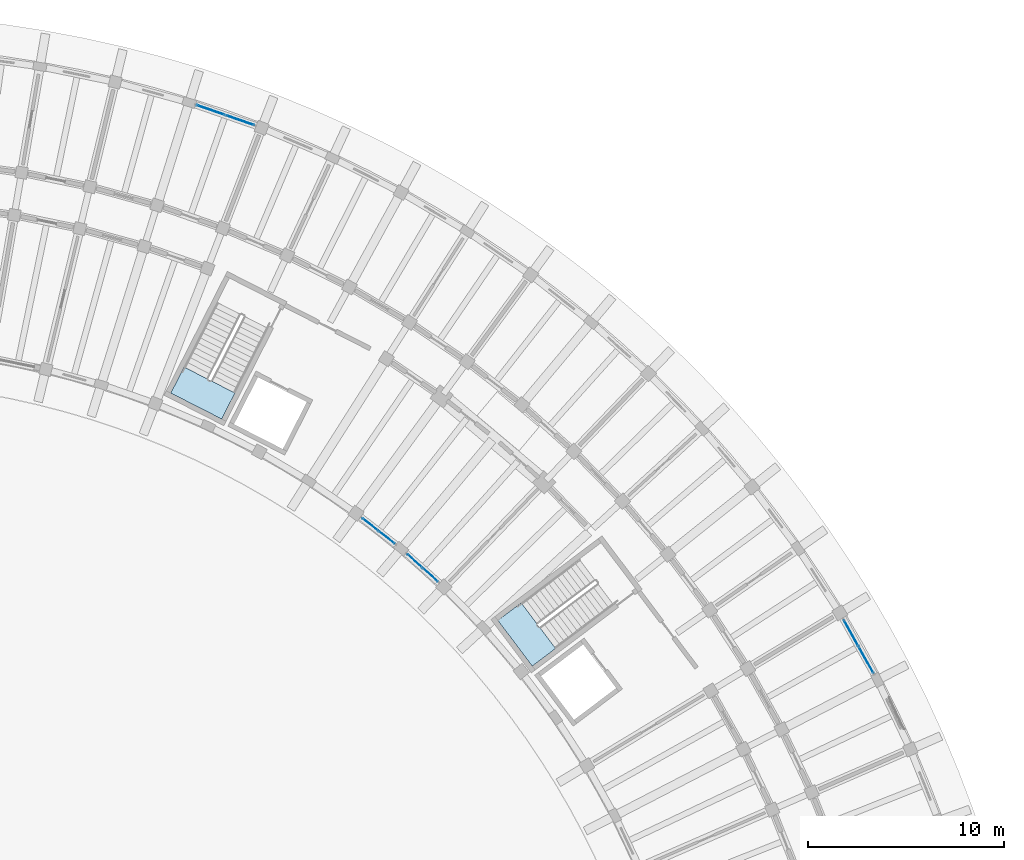
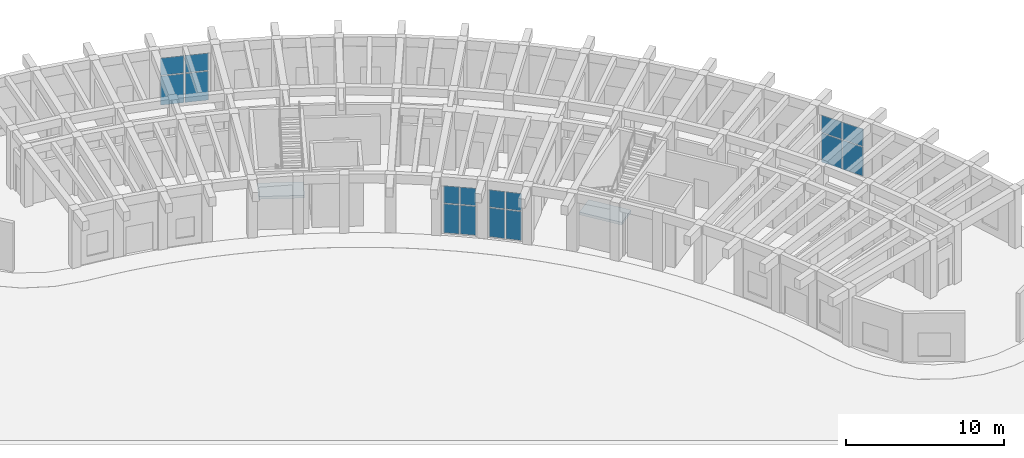
# One storey, part 84 of 132: 16 plates, 2 slabs, 6 elements without a shape of their own.
"""IFC4 building model written with IfcOpenShell, lengths in metres."""

from ifc_helpers import new_model, si_unit, direction, frame, origin, origin_2d, place, context, subcontext, project, spatial, polyline, rectangle, outline, extrude, material, layer, layer_set, type_object, element, aggregate, save


model = new_model("IFC4")

# Units and contexts
model_context = context("Model", 3, precision=1e-05, world=origin(), true_north=direction((0.0, 1.0)))
body_context = subcontext(model_context, "Body", "Model", "MODEL_VIEW")
ifc_project = project(units=[si_unit("LENGTHUNIT", "METRE"), si_unit("AREAUNIT", "SQUARE_METRE"), si_unit("VOLUMEUNIT", "CUBIC_METRE"), si_unit("PLANEANGLEUNIT", "RADIAN"), si_unit("MASSUNIT", "GRAM", prefix="KILO")], contexts=[model_context])

# Site, building, storey
site_placement = place(None, origin())
site = spatial("IfcSite", under=ifc_project, at=site_placement, CompositionType="ELEMENT")
building_placement = place(site_placement, origin())
building = spatial("IfcBuilding", under=site, at=building_placement, Name="Tanwirah Colonnade Gardens", CompositionType="ELEMENT")
storey_placement = place(building_placement, origin())
storey = spatial("IfcBuildingStorey", under=building, at=storey_placement, Name="L00", CompositionType="ELEMENT", Elevation=0.0)

# Curtain wall, plates
ifc_material_1 = material(Name="Bronze-anodised aluminium and solar-control low-E glass", Category="aluminium")
curtain_wall_type_1 = type_object("IfcCurtainWallType", Name="CW-LOB", PredefinedType="NOTDEFINED", material=ifc_material_1)
curtain_wall_1_placement = place(storey_placement, origin())
curtain_wall_1 = element("IfcCurtainWall", 1, at=curtain_wall_1_placement, inside=storey, type_object=curtain_wall_type_1, Name="Curtain Wall CW-B-L00-OUT-03", PredefinedType="NOTDEFINED")
ifc_material_2 = material(Name="Insulated bronze aluminium spandrel panel", Category="aluminium")
ifc_layer_1 = layer(ifc_material_2, 0.035888671875)
ifc_layer_set_1 = layer_set([ifc_layer_1], Name="Insulated bronze aluminium spandrel panel")
plate_type = type_object("IfcPlateType", Name="CWP-SPN36", PredefinedType="CURTAIN_PANEL", material=ifc_layer_set_1)
plate_1_placement = place(storey_placement, frame((173.326416015625, 88.571044921875, 0.06494140625), z_axis=(0.0, 0.0, 1.0), x_axis=(-0.488200181987, 0.8727316783, 0.0)))
plate_1 = element("IfcPlate", 2, at=plate_1_placement, type_object=plate_type, Name="CW-LOB panel 1.1", PredefinedType="CURTAIN_PANEL", context=body_context, shape_type="SweptSolid", body=[
    extrude(rectangle(XDim=1.50537109375, YDim=0.035888671875, at=origin_2d()), origin(), (0.0, 0.0, 1.0), 2.230712890625),
])
plate_2_placement = place(storey_placement, frame((173.326416015625, 88.571044921875, 2.36083984375), z_axis=(0.0, 0.0, 1.0), x_axis=(-0.488200181987, 0.8727316783, 0.0)))
plate_2 = element("IfcPlate", 3, at=plate_2_placement, type_object=plate_type, Name="CW-LOB panel 1.2", PredefinedType="CURTAIN_PANEL", context=body_context, shape_type="SweptSolid", body=[
    extrude(rectangle(XDim=1.50537109375, YDim=0.035888671875, at=origin_2d()), origin(), (0.0, 0.0, 1.0), 1.329345703125),
])
plate_3_placement = place(storey_placement, frame((172.5595703125, 89.941650390625, 0.06494140625), z_axis=(0.0, 0.0, 1.0), x_axis=(-0.488200181987, 0.8727316783, 0.0)))
plate_3 = element("IfcPlate", 4, at=plate_3_placement, type_object=plate_type, Name="CW-LOB panel 2.1", PredefinedType="CURTAIN_PANEL", context=body_context, shape_type="SweptSolid", body=[
    extrude(rectangle(XDim=1.50537109375, YDim=0.035888671875, at=origin_2d()), origin(), (0.0, 0.0, 1.0), 2.230712890625),
])
plate_4_placement = place(storey_placement, frame((172.5595703125, 89.941650390625, 2.36083984375), z_axis=(0.0, 0.0, 1.0), x_axis=(-0.488200181987, 0.8727316783, 0.0)))
plate_4 = element("IfcPlate", 5, at=plate_4_placement, type_object=plate_type, Name="CW-LOB panel 2.2", PredefinedType="CURTAIN_PANEL", context=body_context, shape_type="SweptSolid", body=[
    extrude(rectangle(XDim=1.50537109375, YDim=0.035888671875, at=origin_2d()), origin(), (0.0, 0.0, 1.0), 1.329345703125),
])
aggregate(curtain_wall_1, [plate_1, plate_2, plate_3, plate_4])

curtain_wall_type_2 = type_object("IfcCurtainWallType", Name="CW-GDN", PredefinedType="NOTDEFINED", material=ifc_material_1)
curtain_wall_2_placement = place(storey_placement, origin())
curtain_wall_2 = element("IfcCurtainWall", 6, at=curtain_wall_2_placement, inside=storey, type_object=curtain_wall_type_2, Name="Curtain Wall CW-B-L00-IN-08", PredefinedType="NOTDEFINED")
plate_5_placement = place(storey_placement, frame((151.061767578125, 92.914306640625, 0.06494140625), z_axis=(0.0, 0.0, 1.0), x_axis=(-0.744440162253, 0.667689182798, 0.0)))
plate_5 = element("IfcPlate", 7, at=plate_5_placement, type_object=plate_type, Name="CW-GDN panel 1.1", PredefinedType="CURTAIN_PANEL", context=body_context, shape_type="SweptSolid", body=[
    extrude(rectangle(XDim=1.007568359375, YDim=0.035888671875, at=origin_2d()), origin(), (0.0, 0.0, 1.0), 2.230712890625),
])
plate_6_placement = place(storey_placement, frame((151.061767578125, 92.914306640625, 2.36083984375), z_axis=(0.0, 0.0, 1.0), x_axis=(-0.744440162253, 0.667689182798, 0.0)))
plate_6 = element("IfcPlate", 8, at=plate_6_placement, type_object=plate_type, Name="CW-GDN panel 1.2", PredefinedType="CURTAIN_PANEL", context=body_context, shape_type="SweptSolid", body=[
    extrude(rectangle(XDim=1.007568359375, YDim=0.035888671875, at=origin_2d()), origin(), (0.0, 0.0, 1.0), 1.329345703125),
])
plate_7_placement = place(storey_placement, frame((150.263427734375, 93.630615234375, 0.06494140625), z_axis=(0.0, 0.0, 1.0), x_axis=(-0.744440162253, 0.667689182798, 0.0)))
plate_7 = element("IfcPlate", 9, at=plate_7_placement, type_object=plate_type, Name="CW-GDN panel 2.1", PredefinedType="CURTAIN_PANEL", context=body_context, shape_type="SweptSolid", body=[
    extrude(rectangle(XDim=1.007568359375, YDim=0.035888671875, at=origin_2d()), origin(), (0.0, 0.0, 1.0), 2.230712890625),
])
plate_8_placement = place(storey_placement, frame((150.263427734375, 93.630615234375, 2.36083984375), z_axis=(0.0, 0.0, 1.0), x_axis=(-0.744440162253, 0.667689182798, 0.0)))
plate_8 = element("IfcPlate", 10, at=plate_8_placement, type_object=plate_type, Name="CW-GDN panel 2.2", PredefinedType="CURTAIN_PANEL", context=body_context, shape_type="SweptSolid", body=[
    extrude(rectangle(XDim=1.007568359375, YDim=0.035888671875, at=origin_2d()), origin(), (0.0, 0.0, 1.0), 1.329345703125),
])
aggregate(curtain_wall_2, [plate_5, plate_6, plate_7, plate_8])

curtain_wall_3_placement = place(storey_placement, origin())
curtain_wall_3 = element("IfcCurtainWall", 11, at=curtain_wall_3_placement, inside=storey, type_object=curtain_wall_type_2, Name="Curtain Wall CW-B-L00-IN-09", PredefinedType="NOTDEFINED")
plate_9_placement = place(storey_placement, frame((148.841064453125, 94.823974609375, 0.06494140625), z_axis=(0.0, 0.0, 1.0), x_axis=(-0.786815291166, 0.617188542982, 0.0)))
plate_9 = element("IfcPlate", 12, at=plate_9_placement, type_object=plate_type, Name="CW-GDN panel 1.1", PredefinedType="CURTAIN_PANEL", context=body_context, shape_type="SweptSolid", body=[
    extrude(rectangle(XDim=1.007568359375, YDim=0.035888671875, at=origin_2d()), origin(), (0.0, 0.0, 1.0), 2.230712890625),
])
plate_10_placement = place(storey_placement, frame((148.841064453125, 94.823974609375, 2.36083984375), z_axis=(0.0, 0.0, 1.0), x_axis=(-0.786815291166, 0.617188542982, 0.0)))
plate_10 = element("IfcPlate", 13, at=plate_10_placement, type_object=plate_type, Name="CW-GDN panel 1.2", PredefinedType="CURTAIN_PANEL", context=body_context, shape_type="SweptSolid", body=[
    extrude(rectangle(XDim=1.007568359375, YDim=0.035888671875, at=origin_2d()), origin(), (0.0, 0.0, 1.0), 1.329345703125),
])
plate_11_placement = place(storey_placement, frame((147.9970703125, 95.48583984375, 0.06494140625), z_axis=(0.0, 0.0, 1.0), x_axis=(-0.786815291166, 0.617188542982, 0.0)))
plate_11 = element("IfcPlate", 14, at=plate_11_placement, type_object=plate_type, Name="CW-GDN panel 2.1", PredefinedType="CURTAIN_PANEL", context=body_context, shape_type="SweptSolid", body=[
    extrude(rectangle(XDim=1.007568359375, YDim=0.035888671875, at=origin_2d()), origin(), (0.0, 0.0, 1.0), 2.230712890625),
])
plate_12_placement = place(storey_placement, frame((147.9970703125, 95.48583984375, 2.36083984375), z_axis=(0.0, 0.0, 1.0), x_axis=(-0.786815291166, 0.617188542982, 0.0)))
plate_12 = element("IfcPlate", 15, at=plate_12_placement, type_object=plate_type, Name="CW-GDN panel 2.2", PredefinedType="CURTAIN_PANEL", context=body_context, shape_type="SweptSolid", body=[
    extrude(rectangle(XDim=1.007568359375, YDim=0.035888671875, at=origin_2d()), origin(), (0.0, 0.0, 1.0), 1.329345703125),
])
aggregate(curtain_wall_3, [plate_9, plate_10, plate_11, plate_12])

curtain_wall_4_placement = place(storey_placement, origin())
curtain_wall_4 = element("IfcCurtainWall", 16, at=curtain_wall_4_placement, inside=storey, type_object=curtain_wall_type_1, Name="Curtain Wall CW-B-L00-OUT-14", PredefinedType="NOTDEFINED")
plate_13_placement = place(storey_placement, frame((141.336669921875, 116.140869140625, 0.06494140625), z_axis=(0.0, 0.0, 1.0), x_axis=(-0.944248993208, 0.329232195914, 0.0)))
plate_13 = element("IfcPlate", 17, at=plate_13_placement, type_object=plate_type, Name="CW-LOB panel 1.1", PredefinedType="CURTAIN_PANEL", context=body_context, shape_type="SweptSolid", body=[
    extrude(rectangle(XDim=1.50537109375, YDim=0.035888671875, at=origin_2d()), origin(), (0.0, 0.0, 1.0), 2.230712890625),
])
plate_14_placement = place(storey_placement, frame((141.336669921875, 116.140869140625, 2.36083984375), z_axis=(0.0, 0.0, 1.0), x_axis=(-0.944248993208, 0.329232195914, 0.0)))
plate_14 = element("IfcPlate", 18, at=plate_14_placement, type_object=plate_type, Name="CW-LOB panel 1.2", PredefinedType="CURTAIN_PANEL", context=body_context, shape_type="SweptSolid", body=[
    extrude(rectangle(XDim=1.50537109375, YDim=0.035888671875, at=origin_2d()), origin(), (0.0, 0.0, 1.0), 1.329345703125),
])
plate_15_placement = place(storey_placement, frame((139.853759765625, 116.657958984375, 0.06494140625), z_axis=(0.0, 0.0, 1.0), x_axis=(-0.944248993208, 0.329232195914, 0.0)))
plate_15 = element("IfcPlate", 19, at=plate_15_placement, type_object=plate_type, Name="CW-LOB panel 2.1", PredefinedType="CURTAIN_PANEL", context=body_context, shape_type="SweptSolid", body=[
    extrude(rectangle(XDim=1.50537109375, YDim=0.035888671875, at=origin_2d()), origin(), (0.0, 0.0, 1.0), 2.230712890625),
])
plate_16_placement = place(storey_placement, frame((139.853759765625, 116.657958984375, 2.36083984375), z_axis=(0.0, 0.0, 1.0), x_axis=(-0.944248993208, 0.329232195914, 0.0)))
plate_16 = element("IfcPlate", 20, at=plate_16_placement, type_object=plate_type, Name="CW-LOB panel 2.2", PredefinedType="CURTAIN_PANEL", context=body_context, shape_type="SweptSolid", body=[
    extrude(rectangle(XDim=1.50537109375, YDim=0.035888671875, at=origin_2d()), origin(), (0.0, 0.0, 1.0), 1.329345703125),
])
aggregate(curtain_wall_4, [plate_13, plate_14, plate_15, plate_16])

# Stair, slab
ifc_material_3 = material(Name="Precast concrete C40/50", Category="concrete")
stair_type = type_object("IfcStairType", Name="ST-RES170", PredefinedType="HALF_TURN_STAIR", material=ifc_material_3)
stair_1_placement = place(storey_placement, origin())
stair_1 = element("IfcStair", 21, at=stair_1_placement, inside=storey, type_object=stair_type, Name="L00 Block B Core 1 Exit Stair", PredefinedType="HALF_TURN_STAIR")
ifc_layer_2 = layer(ifc_material_3, 0.205078125)
ifc_layer_set_2 = layer_set([ifc_layer_2], Name="Precast concrete C40/50")
slab_type = type_object("IfcSlabType", Name="SL-LND-205", PredefinedType="LANDING", material=ifc_layer_set_2)
slab_1_placement = place(storey_placement, frame((0.0, 0.0, 2.175048828125)))
slab_1 = element("IfcSlab", 22, at=slab_1_placement, type_object=slab_type, Name="ST-B1 landing 1", PredefinedType="LANDING", context=body_context, shape_type="SweptSolid", body=[
    extrude(outline(polyline([(155.705078125, 91.48583984375), (154.510986328125, 90.586181640625), (156.268310546875, 88.254150390625), (157.46240234375, 89.15380859375), (155.705078125, 91.48583984375)])), origin(), (0.0, 0.0, 1.0), 0.204833984375),
])
aggregate(stair_1, [slab_1])

stair_2_placement = place(storey_placement, origin())
stair_2 = element("IfcStair", 23, at=stair_2_placement, inside=storey, type_object=stair_type, Name="L00 Block B Core 2 Exit Stair", PredefinedType="HALF_TURN_STAIR")
slab_2_placement = place(storey_placement, frame((0.0, 0.0, 2.175048828125)))
slab_2 = element("IfcSlab", 24, at=slab_2_placement, type_object=slab_type, Name="ST-B2 landing 1", PredefinedType="LANDING", context=body_context, shape_type="SweptSolid", body=[
    extrude(outline(polyline([(138.477783203125, 103.533203125), (137.799072265625, 102.201171875), (140.40087890625, 100.87548828125), (141.07958984375, 102.20751953125), (138.477783203125, 103.533203125)])), origin(), (0.0, 0.0, 1.0), 0.204833984375),
])
aggregate(stair_2, [slab_2])

save(model, "model.ifc")
